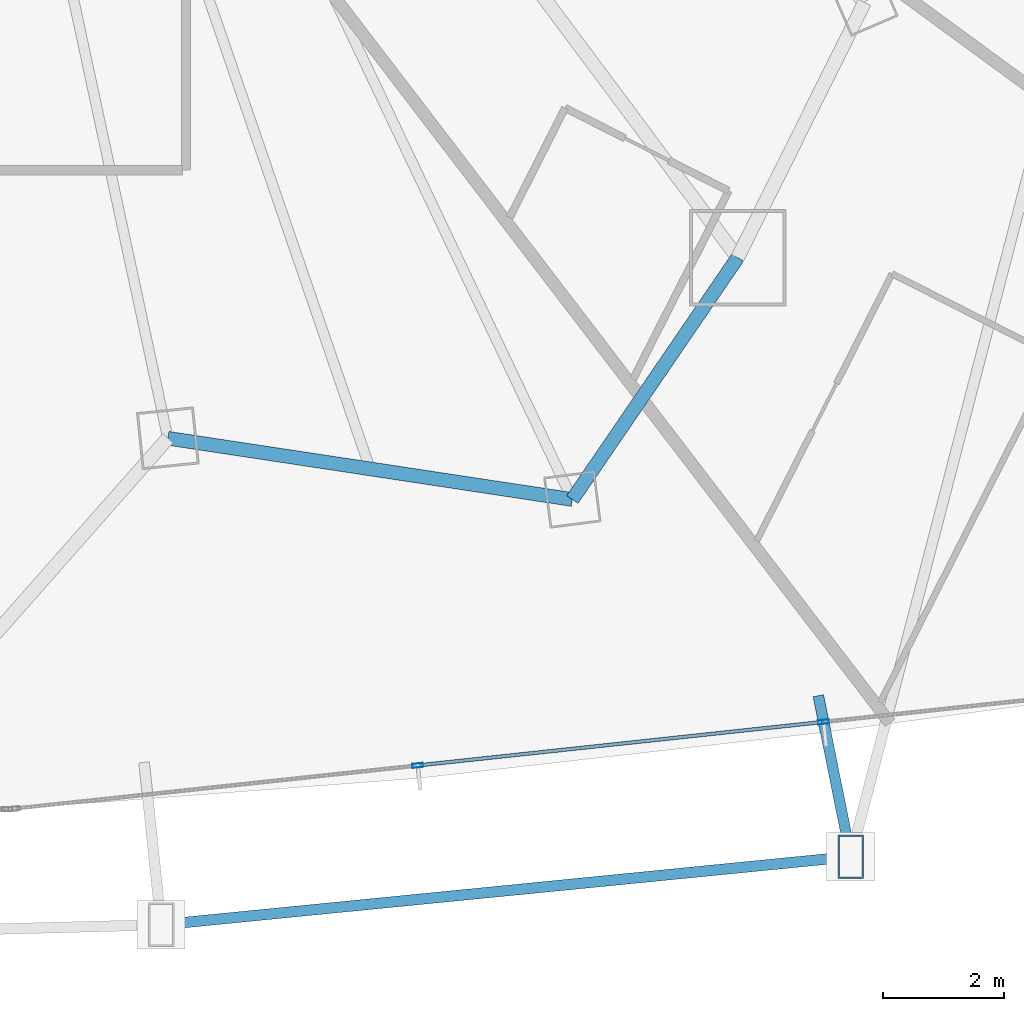
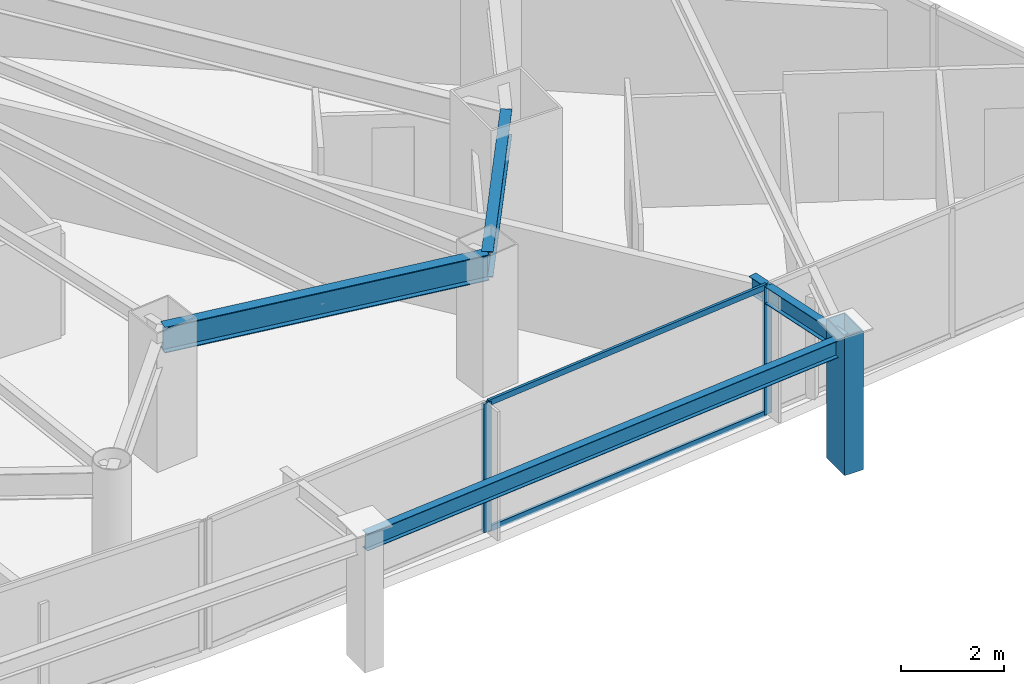
# One storey, part 14 of 35: 5 members, 4 beams, 1 element without a shape of its own.
"""IFC4 building model written with IfcOpenShell, lengths in metres."""

from ifc_helpers import new_model, si_unit, direction, frame, origin, origin_2d, place, context, subcontext, project, spatial, hollow_rectangle, i_section, extrude, material, layer, layer_set, material_profile, profile_set, type_object, element, aggregate, save


model = new_model("IFC4")

# Units and contexts
model_context = context("Model", 3, precision=1e-05, world=origin(), true_north=direction((0.0, 1.0)))
body_context = subcontext(model_context, "Body", "Model", "MODEL_VIEW")
ifc_project = project(units=[si_unit("LENGTHUNIT", "METRE"), si_unit("AREAUNIT", "SQUARE_METRE"), si_unit("VOLUMEUNIT", "CUBIC_METRE"), si_unit("PLANEANGLEUNIT", "RADIAN"), si_unit("MASSUNIT", "GRAM", prefix="KILO")], contexts=[model_context])

# Site, building, storey
site_placement = place(None, origin())
site = spatial("IfcSite", under=ifc_project, at=site_placement, CompositionType="ELEMENT")
building_placement = place(site_placement, origin())
building = spatial("IfcBuilding", under=site, at=building_placement, Name="Orvanel Arch Residences", CompositionType="ELEMENT")
storey_placement = place(building_placement, frame((0.0, 0.0, 30.199951171875)))
storey = spatial("IfcBuildingStorey", under=building, at=storey_placement, Name="L07", CompositionType="ELEMENT", Elevation=30.199951171875)

# Member
ifc_material_1 = material(Name="Structural steel AS/NZS 3678 Grade 350", Category="steel")
ifc_material_profile_1 = material_profile(ifc_material_1, hollow_rectangle(XDim=0.419921875, YDim=0.719970703125, WallThickness=0.02490234375, at=origin_2d()), Name="RHS720x420x25")
ifc_profile_set_1 = profile_set([ifc_material_profile_1], Name="Structural steel AS/NZS 3678 Grade 350")
member_type_1 = type_object("IfcMemberType", Name="CH-720RHS-EXT", PredefinedType="CHORD", material=ifc_profile_set_1)
member_1_placement = place(storey_placement, frame((53.677001953125, 0.416015625, 0.0), z_axis=(0.0, 0.0, 1.0), x_axis=(1.0, 0.0, 0.0)))
element("IfcMember", 1, at=member_1_placement, inside=storey, type_object=member_type_1, Name="L07 Outer Perimeter Frame Post 08", PredefinedType="CHORD", context=body_context, shape_type="SweptSolid", body=[
    extrude(hollow_rectangle(XDim=0.419921875, YDim=0.719970703125, WallThickness=0.02490234375, at=origin_2d()), origin(), (0.0, 0.0, 1.0), 3.300048828125),
])

# Curtain wall, members
ifc_material_2 = material(Name="Bronze-anodised aluminium AA6063-T6", Category="aluminium")
ifc_layer = layer(ifc_material_2, 0.179931640625)
ifc_layer_set = layer_set([ifc_layer], Name="Bronze-anodised aluminium AA6063-T6")
curtain_wall_type = type_object("IfcCurtainWallType", Name="CW2-LOW-SYS", PredefinedType="NOTDEFINED", material=ifc_layer_set)
curtain_wall_placement = place(storey_placement, origin())
curtain_wall = element("IfcCurtainWall", 2, at=curtain_wall_placement, inside=storey, type_object=curtain_wall_type, Name="L07 CW2-LOW-SYS Unitised Curtain Wall", PredefinedType="NOTDEFINED")
ifc_material_profile_2 = material_profile(ifc_material_2, hollow_rectangle(XDim=0.070068359375, YDim=0.179931640625, WallThickness=0.00439453125, at=origin_2d()), Name="ALU180x70x4.5")
ifc_profile_set_2 = profile_set([ifc_material_profile_2], Name="Bronze-anodised aluminium AA6063-T6")
member_type_2 = type_object("IfcMemberType", Name="MUL-180x70", PredefinedType="MULLION", material=ifc_profile_set_2)
member_2_placement = place(storey_placement, frame((46.4951171875, 1.92822265625, 0.0), z_axis=(0.0, 0.0, 1.0), x_axis=(-0.106701765481, 0.994291070685, 0.0)))
member_2 = element("IfcMember", 3, at=member_2_placement, type_object=member_type_2, Name="CW-S2 mullion 2", PredefinedType="MULLION", context=body_context, shape_type="SweptSolid", body=[
    extrude(hollow_rectangle(XDim=0.070068359375, YDim=0.179931640625, WallThickness=0.00439453125, at=origin_2d()), origin(), (0.0, 0.0, 1.0), 3.06005859375),
])
member_3_placement = place(storey_placement, frame((53.22607421875, 2.650634765625, 0.0), z_axis=(0.0, 0.0, 1.0), x_axis=(-0.106701765481, 0.994291070685, 0.0)))
member_3 = element("IfcMember", 4, at=member_3_placement, type_object=member_type_2, Name="CW-S2 mullion 3", PredefinedType="MULLION", context=body_context, shape_type="SweptSolid", body=[
    extrude(hollow_rectangle(XDim=0.070068359375, YDim=0.179931640625, WallThickness=0.00439453125, at=origin_2d()), origin(), (0.0, 0.0, 1.0), 3.06005859375),
])

# Beams
ifc_material_3 = material(Name="Structural steel AS/NZS 3679.1 Grade 300 (300 MPa)", Category="steel")
ifc_material_profile_3 = material_profile(ifc_material_3, i_section(OverallWidth=0.177978515625, OverallDepth=0.406005859375, WebThickness=0.0078125, FlangeThickness=0.0126953125, at=origin_2d()), Name="410UB59.7")
ifc_profile_set_3 = profile_set([ifc_material_profile_3], Name="Structural steel AS/NZS 3679.1 Grade 300 (300 MPa)")
beam_type_1 = type_object("IfcBeamType", Name="OB-410UB-EXT", PredefinedType="SPANDREL", material=ifc_profile_set_3)
beam_1_placement = place(storey_placement, frame((42.239013671875, -0.714111328125, 2.85693359375), z_axis=(0.99515426669, 0.098325914632, 0.0), x_axis=(-0.098325914632, 0.99515426669, 0.0)))
element("IfcBeam", 5, at=beam_1_placement, inside=storey, type_object=beam_type_1, Name="L07 Outer Perimeter Floor Ring Beam 07", PredefinedType="SPANDREL", context=body_context, shape_type="SweptSolid", body=[
    extrude(i_section(OverallWidth=0.177978515625, OverallDepth=0.406005859375, WebThickness=0.0078125, FlangeThickness=0.0126953125, at=origin_2d()), origin(), (0.0, 0.0, 1.0), 11.49365234375),
])
beam_2_placement = place(storey_placement, frame((53.138916015625, 3.0859375, 2.85693359375), z_axis=(0.197563932826, -0.980290004257, 0.0), x_axis=(0.980290004257, 0.197563932826, 0.0)))
element("IfcBeam", 6, at=beam_2_placement, inside=storey, type_object=beam_type_1, Name="L07 Outer Frame Radial Tie Beam 08", PredefinedType="SPANDREL", context=body_context, shape_type="SweptSolid", body=[
    extrude(i_section(OverallWidth=0.177978515625, OverallDepth=0.406005859375, WebThickness=0.0078125, FlangeThickness=0.0126953125, at=origin_2d()), origin(), (0.0, 0.0, 1.0), 2.7236328125),
])
ifc_material_profile_4 = material_profile(ifc_material_3, i_section(OverallWidth=0.22900390625, OverallDepth=0.612060546875, WebThickness=0.011962890625, FlangeThickness=0.01953125, at=origin_2d()), Name="610UB125")
ifc_profile_set_4 = profile_set([ifc_material_profile_4], Name="Structural steel AS/NZS 3679.1 Grade 300 (300 MPa)")
beam_type_2 = type_object("IfcBeamType", Name="SP-610UB", PredefinedType="SPANDREL", material=ifc_profile_set_4)
beam_3_placement = place(storey_placement, frame((42.35107421875, 7.35498046875, 2.754150390625), z_axis=(0.988726323014, -0.149733958002, 0.0), x_axis=(0.149733958002, 0.988726323014, 0.0)))
element("IfcBeam", 7, at=beam_3_placement, inside=storey, type_object=beam_type_2, Name="L07 Perimeter Spandrel Beam 09", PredefinedType="SPANDREL", context=body_context, shape_type="SweptSolid", body=[
    extrude(i_section(OverallWidth=0.22900390625, OverallDepth=0.612060546875, WebThickness=0.011962890625, FlangeThickness=0.01953125, at=origin_2d()), origin(), (0.0, 0.0, 1.0), 6.784423828125),
])
beam_4_placement = place(storey_placement, frame((49.05908203125, 6.339111328125, 2.754150390625), z_axis=(0.564251579852, 0.825602903722, 0.0), x_axis=(-0.825602903722, 0.564251579852, 0.0)))
element("IfcBeam", 8, at=beam_4_placement, inside=storey, type_object=beam_type_2, Name="L07 Perimeter Spandrel Beam 10", PredefinedType="SPANDREL", context=body_context, shape_type="SweptSolid", body=[
    extrude(i_section(OverallWidth=0.22900390625, OverallDepth=0.612060546875, WebThickness=0.011962890625, FlangeThickness=0.01953125, at=origin_2d()), origin(), (0.0, 0.0, 1.0), 4.859375),
])

# Member
ifc_material_profile_5 = material_profile(ifc_material_2, hollow_rectangle(XDim=0.06005859375, YDim=0.135009765625, WallThickness=0.00390625, at=origin_2d()), Name="ALU135x60x4")
ifc_profile_set_5 = profile_set([ifc_material_profile_5], Name="Bronze-anodised aluminium AA6063-T6")
member_type_3 = type_object("IfcMemberType", Name="TRN-135x60", PredefinedType="USERDEFINED", material=ifc_profile_set_5)
member_4_placement = place(storey_placement, frame((46.52978515625, 1.93212890625, 0.030029296875), z_axis=(0.994291356146, 0.106699105398, 0.0), x_axis=(-0.106699105398, 0.994291356146, 0.0)))
member_4 = element("IfcMember", 9, at=member_4_placement, type_object=member_type_3, Name="CW-S2 transom 2.1", ObjectType="TRANSOM", PredefinedType="USERDEFINED", context=body_context, shape_type="SweptSolid", body=[
    extrude(hollow_rectangle(XDim=0.06005859375, YDim=0.135009765625, WallThickness=0.00390625, at=origin_2d()), origin(), (0.0, 0.0, 1.0), 6.69970703125),
])

member_5_placement = place(storey_placement, frame((46.52978515625, 1.93212890625, 3.030029296875), z_axis=(0.994291356146, 0.106699105398, 0.0), x_axis=(-0.106699105398, 0.994291356146, 0.0)))
member_5 = element("IfcMember", 10, at=member_5_placement, type_object=member_type_3, Name="CW-S2 transom 2.2", ObjectType="TRANSOM", PredefinedType="USERDEFINED", context=body_context, shape_type="SweptSolid", body=[
    extrude(hollow_rectangle(XDim=0.06005859375, YDim=0.135009765625, WallThickness=0.00390625, at=origin_2d()), origin(), (0.0, 0.0, 1.0), 6.69970703125),
])

aggregate(curtain_wall, [member_2, member_3, member_4, member_5])

save(model, "model.ifc")
